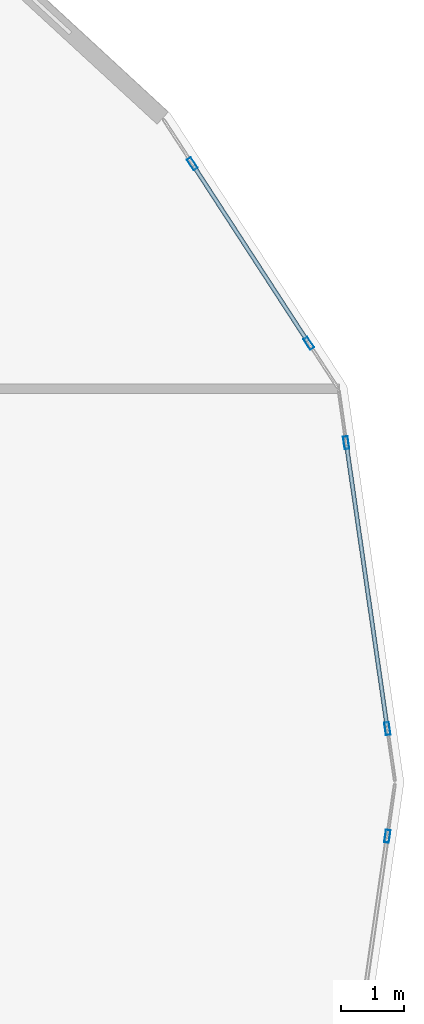
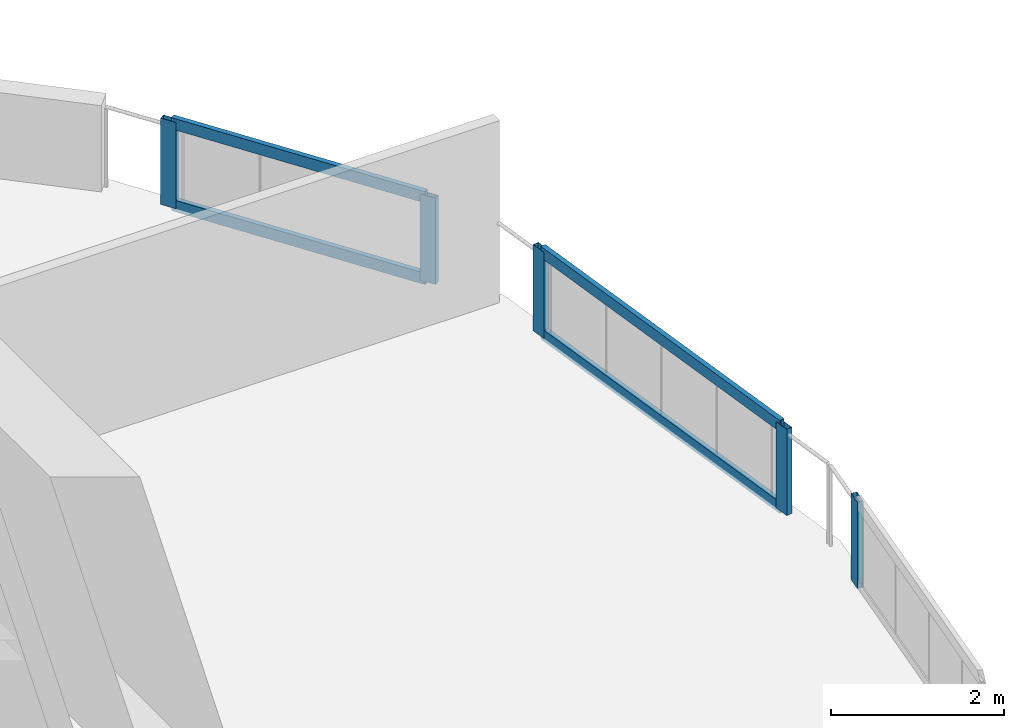
# One storey, part 9 of 22: 9 members, 3 elements without a shape of their own.
"""IFC4 building model written with IfcOpenShell, lengths in metres."""

from ifc_helpers import new_model, si_unit, direction, frame, origin, origin_2d, place, context, subcontext, project, spatial, hollow_rectangle, extrude, material, layer, layer_set, material_profile, profile_set, type_object, element, aggregate, save


model = new_model("IFC4")

# Units and contexts
model_context = context("Model", 3, precision=1e-05, world=origin(), true_north=direction((0.0, 1.0)))
body_context = subcontext(model_context, "Body", "Model", "MODEL_VIEW")
ifc_project = project(units=[si_unit("LENGTHUNIT", "METRE"), si_unit("AREAUNIT", "SQUARE_METRE"), si_unit("VOLUMEUNIT", "CUBIC_METRE"), si_unit("PLANEANGLEUNIT", "RADIAN"), si_unit("MASSUNIT", "GRAM", prefix="KILO")], contexts=[model_context])

# Site, building, storey
site_placement = place(None, origin())
site = spatial("IfcSite", under=ifc_project, at=site_placement, CompositionType="ELEMENT")
building_placement = place(site_placement, origin())
building = spatial("IfcBuilding", under=site, at=building_placement, Name="Solvane Sanctuary Tower", CompositionType="ELEMENT")
storey_placement = place(building_placement, frame((0.0, 0.0, 43.10009765625)))
storey = spatial("IfcBuildingStorey", under=building, at=storey_placement, Name="L12", CompositionType="ELEMENT", Elevation=43.10009765625)

# Curtain wall, members
ifc_material = material(Name="Anodised Aluminium 6063-T6", Category="aluminium")
ifc_layer = layer(ifc_material, 0.2099609375, Name="Anodised Aluminium 6063-T6")
ifc_layer_set = layer_set([ifc_layer], Name="Anodised Aluminium 6063-T6")
curtain_wall_type = type_object("IfcCurtainWallType", Name="Curtain Wall CW-PORTAL", PredefinedType="NOTDEFINED", material=ifc_layer_set)
curtain_wall_1_placement = place(storey_placement, origin())
curtain_wall_1 = element("IfcCurtainWall", 1, at=curtain_wall_1_placement, inside=storey, type_object=curtain_wall_type, Name="L12 CW-PORTAL Facade Run 00", PredefinedType="NOTDEFINED")
ifc_material_profile_1 = material_profile(ifc_material, hollow_rectangle(XDim=0.074951171875, YDim=0.199951171875, WallThickness=0.00390625, at=origin_2d()), Name="ALU200X75X4")
ifc_profile_set_1 = profile_set([ifc_material_profile_1], Name="Anodised Aluminium 6063-T6")
member_type_1 = type_object("IfcMemberType", Name="Member M-CW-MUL-1 ALU200X75X4", PredefinedType="MULLION", material=ifc_profile_set_1)
member_1_placement = place(storey_placement, frame((57.73779296875, 23.8486328125, 0.0), z_axis=(0.0, 0.0, 1.0), x_axis=(-0.989794236162, -0.142503929979, 0.0)))
member_1 = element("IfcMember", 2, at=member_1_placement, type_object=member_type_1, Name="CW-PORTAL mullion 1", PredefinedType="MULLION", context=body_context, shape_type="SweptSolid", body=[
    extrude(hollow_rectangle(XDim=0.074951171875, YDim=0.199951171875, WallThickness=0.00390625, at=origin_2d()), origin(), (0.0, 0.0, 1.0), 1.219970703125),
])
member_2_placement = place(storey_placement, frame((57.088623046875, 28.356689453125, 0.0), z_axis=(0.0, 0.0, 1.0), x_axis=(-0.989794236162, -0.142503929979, 0.0)))
member_2 = element("IfcMember", 3, at=member_2_placement, type_object=member_type_1, Name="CW-PORTAL mullion 2", PredefinedType="MULLION", context=body_context, shape_type="SweptSolid", body=[
    extrude(hollow_rectangle(XDim=0.074951171875, YDim=0.199951171875, WallThickness=0.00390625, at=origin_2d()), origin(), (0.0, 0.0, 1.0), 1.219970703125),
])

curtain_wall_2_placement = place(storey_placement, origin())
curtain_wall_2 = element("IfcCurtainWall", 4, at=curtain_wall_2_placement, inside=storey, type_object=curtain_wall_type, Name="L12 CW-PORTAL Facade Run 01", PredefinedType="NOTDEFINED")
member_3_placement = place(storey_placement, frame((56.49951171875, 29.924560546875, 0.0), z_axis=(0.0, 0.0, 1.0), x_axis=(-0.838732767639, -0.544543243911, 0.0)))
member_3 = element("IfcMember", 5, at=member_3_placement, type_object=member_type_1, Name="CW-PORTAL mullion 1", PredefinedType="MULLION", context=body_context, shape_type="SweptSolid", body=[
    extrude(hollow_rectangle(XDim=0.074951171875, YDim=0.199951171875, WallThickness=0.00390625, at=origin_2d()), origin(), (0.0, 0.0, 1.0), 1.219970703125),
])
member_4_placement = place(storey_placement, frame((54.660888671875, 32.75634765625, 0.0), z_axis=(0.0, 0.0, 1.0), x_axis=(-0.838732767639, -0.544543243911, 0.0)))
member_4 = element("IfcMember", 6, at=member_4_placement, type_object=member_type_1, Name="CW-PORTAL mullion 2", PredefinedType="MULLION", context=body_context, shape_type="SweptSolid", body=[
    extrude(hollow_rectangle(XDim=0.074951171875, YDim=0.199951171875, WallThickness=0.00390625, at=origin_2d()), origin(), (0.0, 0.0, 1.0), 1.219970703125),
])

# Curtain wall, member
curtain_wall_3_placement = place(storey_placement, origin())
curtain_wall_3 = element("IfcCurtainWall", 7, at=curtain_wall_3_placement, inside=storey, type_object=curtain_wall_type, Name="L12 CW-PORTAL Facade Run 23", PredefinedType="NOTDEFINED")
member_5_placement = place(storey_placement, frame((57.73779296875, 22.1513671875, 0.0), z_axis=(0.0, 0.0, 1.0), x_axis=(-0.989794236162, 0.142503929979, 0.0)))
member_5 = element("IfcMember", 8, at=member_5_placement, type_object=member_type_1, Name="CW-PORTAL mullion 2", PredefinedType="MULLION", context=body_context, shape_type="SweptSolid", body=[
    extrude(hollow_rectangle(XDim=0.074951171875, YDim=0.199951171875, WallThickness=0.00390625, at=origin_2d()), origin(), (0.0, 0.0, 1.0), 1.219970703125),
])
aggregate(curtain_wall_3, [member_5])

# Member
ifc_material_profile_2 = material_profile(ifc_material, hollow_rectangle(XDim=0.06494140625, YDim=0.159912109375, WallThickness=0.00341796875, at=origin_2d()), Name="ALU160X65X3.5")
ifc_profile_set_2 = profile_set([ifc_material_profile_2], Name="Anodised Aluminium 6063-T6")
member_type_2 = type_object("IfcMemberType", Name="Member M-CW-TRN-1 ALU160X65X3.5", PredefinedType="USERDEFINED", material=ifc_profile_set_2)
member_6_placement = place(storey_placement, frame((57.732421875, 23.8857421875, 0.032470703125), z_axis=(-0.14252000847, 0.989791921156, 0.0), x_axis=(-0.989791921156, -0.14252000847, 0.0)))
member_6 = element("IfcMember", 9, at=member_6_placement, type_object=member_type_2, Name="CW-PORTAL transom 1.1", ObjectType="TRANSOM", PredefinedType="USERDEFINED", context=body_context, shape_type="SweptSolid", body=[
    extrude(hollow_rectangle(XDim=0.06494140625, YDim=0.159912109375, WallThickness=0.00341796875, at=origin_2d()), origin(), (0.0, 0.0, 1.0), 4.4794921875),
])

member_7_placement = place(storey_placement, frame((57.732421875, 23.8857421875, 1.1875), z_axis=(-0.14252000847, 0.989791921156, 0.0), x_axis=(-0.989791921156, -0.14252000847, 0.0)))
member_7 = element("IfcMember", 10, at=member_7_placement, type_object=member_type_2, Name="CW-PORTAL transom 1.2", ObjectType="TRANSOM", PredefinedType="USERDEFINED", context=body_context, shape_type="SweptSolid", body=[
    extrude(hollow_rectangle(XDim=0.06494140625, YDim=0.159912109375, WallThickness=0.00341796875, at=origin_2d()), origin(), (0.0, 0.0, 1.0), 4.4794921875),
])

aggregate(curtain_wall_1, [member_1, member_2, member_6, member_7])

member_8_placement = place(storey_placement, frame((56.47900390625, 29.955810546875, 0.032470703125), z_axis=(-0.544523030782, 0.83874589057, 0.0), x_axis=(-0.83874589057, -0.544523030782, 0.0)))
member_8 = element("IfcMember", 11, at=member_8_placement, type_object=member_type_2, Name="CW-PORTAL transom 1.1", ObjectType="TRANSOM", PredefinedType="USERDEFINED", context=body_context, shape_type="SweptSolid", body=[
    extrude(hollow_rectangle(XDim=0.06494140625, YDim=0.159912109375, WallThickness=0.00341796875, at=origin_2d()), origin(), (0.0, 0.0, 1.0), 3.3017578125),
])

member_9_placement = place(storey_placement, frame((56.47900390625, 29.955810546875, 1.1875), z_axis=(-0.544523030782, 0.83874589057, 0.0), x_axis=(-0.83874589057, -0.544523030782, 0.0)))
member_9 = element("IfcMember", 12, at=member_9_placement, type_object=member_type_2, Name="CW-PORTAL transom 1.2", ObjectType="TRANSOM", PredefinedType="USERDEFINED", context=body_context, shape_type="SweptSolid", body=[
    extrude(hollow_rectangle(XDim=0.06494140625, YDim=0.159912109375, WallThickness=0.00341796875, at=origin_2d()), origin(), (0.0, 0.0, 1.0), 3.3017578125),
])

aggregate(curtain_wall_2, [member_3, member_4, member_8, member_9])

save(model, "model.ifc")
